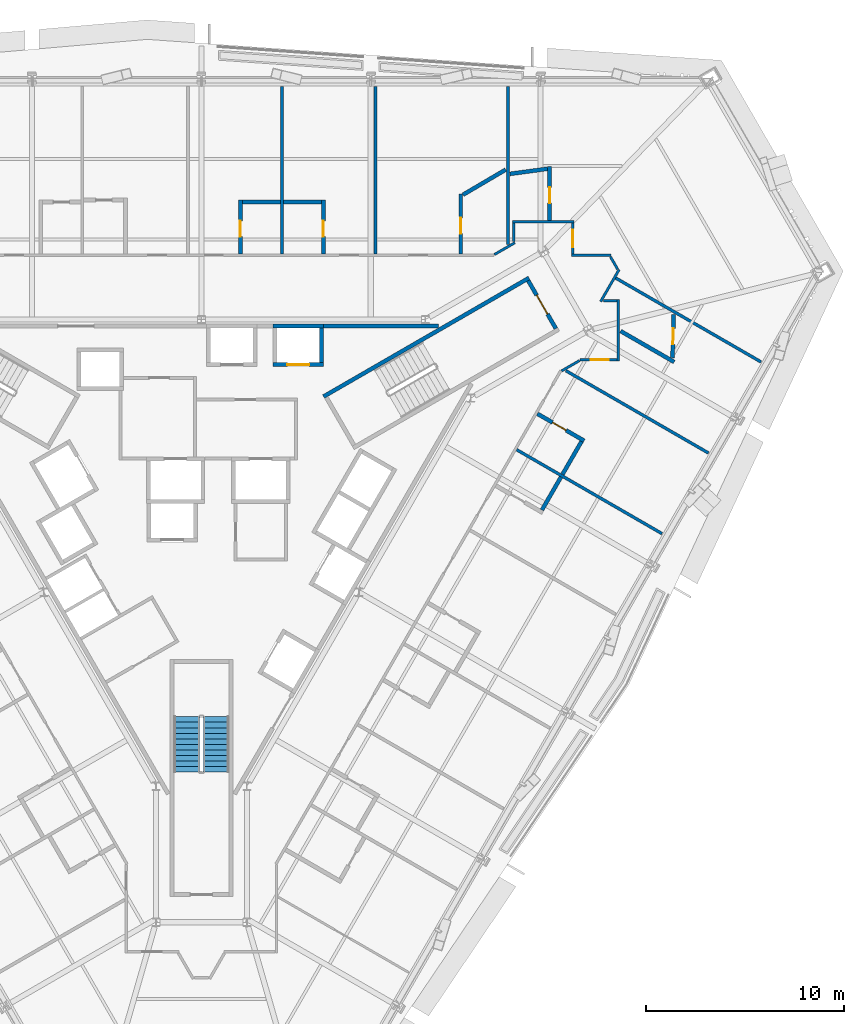
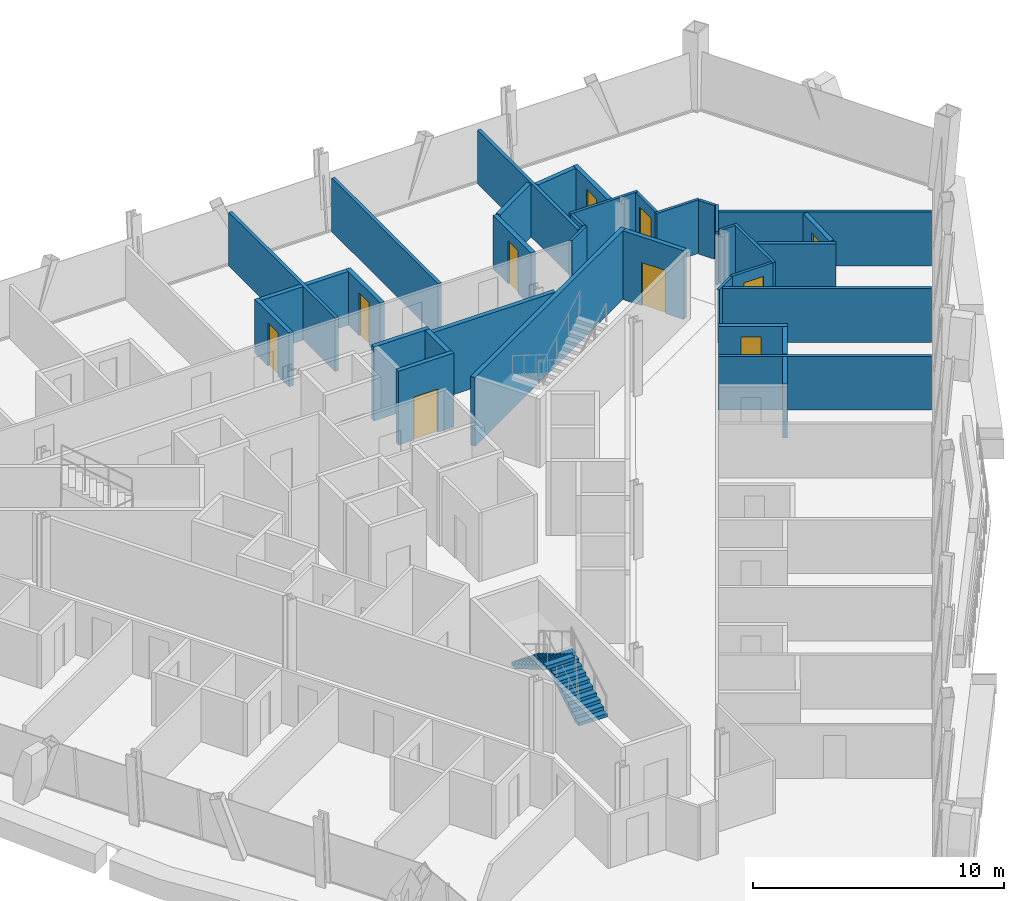
# One storey, part 12 of 15: 36 walls, 10 doors, 2 stair flights, 10 openings, 1 element without a shape of its own.
"""IFC4 building model written with IfcOpenShell, lengths in metres."""

from ifc_helpers import new_model, si_unit, direction, frame, frame_2d, origin, place, context, subcontext, project, spatial, polyline, rectangle, outline, extrude, material, layer, layer_set, type_object, element, fill, aggregate, save


model = new_model("IFC4")

# Units and contexts
model_context = context("Model", 3, precision=1e-05, world=origin(), true_north=direction((0.0, 1.0)))
body_context = subcontext(model_context, "Body", "Model", "MODEL_VIEW")
ifc_project = project(units=[si_unit("LENGTHUNIT", "METRE"), si_unit("AREAUNIT", "SQUARE_METRE"), si_unit("VOLUMEUNIT", "CUBIC_METRE"), si_unit("PLANEANGLEUNIT", "RADIAN"), si_unit("MASSUNIT", "GRAM", prefix="KILO")], contexts=[model_context])

# Site, building, storey
site_placement = place(None, origin())
site = spatial("IfcSite", under=ifc_project, at=site_placement, CompositionType="ELEMENT")
building_placement = place(site_placement, origin())
building = spatial("IfcBuilding", under=site, at=building_placement, Name="Verrane Prism Tower", CompositionType="ELEMENT")
storey_placement = place(building_placement, frame((0.0, 0.0, 72.800048828125)))
storey = spatial("IfcBuildingStorey", under=building, at=storey_placement, Name="L16", CompositionType="ELEMENT", Elevation=72.800048828125)

# Wall
ifc_material_1 = material(Name="Gypsum board partition", Category="other")
ifc_layer_1 = layer(ifc_material_1, 0.199951171875)
ifc_layer_set_1 = layer_set([ifc_layer_1], Name="CW-200 core boundary wall 2 h")
wall_type_1 = type_object("IfcWallType", Name="CW-200 core boundary wall 2 h", PredefinedType="PARTITIONING", material=ifc_layer_set_1)
wall_1_placement = place(storey_placement, frame((6.177001953125, 8.860107421875, 0.0), z_axis=(0.0, 0.0, 1.0), x_axis=(1.0, 0.0, 0.0)))
element("IfcWall", 1, at=wall_1_placement, inside=storey, type_object=wall_type_1, Name="Core boundary wall CW3-006", PredefinedType="PARTITIONING", context=body_context, shape_type="SweptSolid", body=[
    extrude(rectangle(XDim=5.81396484375, YDim=0.199951171875, at=frame_2d((2.906982421875, 0.0))), origin(), (0.0, 0.0, 1.0), 3.349853515625),
])

# Wall, opening, door
ifc_material_2 = material(Name="Concrete C40/50", Category="concrete")
ifc_layer_2 = layer(ifc_material_2, 0.199951171875)
ifc_layer_set_2 = layer_set([ifc_layer_2], Name="CW-200 stair core wall concrete C40/50 3 h")
wall_type_2 = type_object("IfcWallType", Name="CW-200 stair core wall concrete C40/50 3 h", PredefinedType="PARTITIONING", material=ifc_layer_set_2)
wall_2_placement = place(storey_placement, frame((17.933837890625, 8.737548828125, 0.0), z_axis=(0.0, 0.0, 1.0), x_axis=(-0.49998411664, 0.866034573852, 0.0)))
wall_2 = element("IfcWall", 2, at=wall_2_placement, inside=storey, type_object=wall_type_2, Name="Stair 1 enclosure wall", PredefinedType="PARTITIONING", context=body_context, shape_type="SweptSolid", body=[
    extrude(rectangle(XDim=2.7998046875, YDim=0.199951171875, at=frame_2d((1.39990234375, 0.0))), origin(), (0.0, 0.0, 1.0), 3.349853515625),
])
opening_1_placement = place(wall_2_placement, frame((0.849853515625, 0.0, 0.0)))
opening_1 = element("IfcOpeningElement", 3, at=opening_1_placement, cuts=wall_2, Name="Opening D14500", PredefinedType="OPENING", context=body_context, shape_type="SweptSolid", body=[
    extrude(rectangle(XDim=1.10009765625, YDim=2.10009765625, at=frame_2d((0.550048828125, 1.050048828125))), frame((0.0, 0.10986328125, 0.0), z_axis=(0.0, -1.0, 0.0), x_axis=(1.0, 0.0, 0.0)), (0.0, 0.0, 1.0), 0.219970703125),
])
ifc_material_3 = material(Name="Timber veneered door leaf", Category="wood")
door_type_1 = type_object("IfcDoorType", Name="DR-1100x2100 FD90 single leaf stair", OperationType="NOTDEFINED", PredefinedType="DOOR", material=ifc_material_3)
door_1_placement = place(opening_1_placement, origin())
door_1 = element("IfcDoor", 4, at=door_1_placement, inside=storey, type_object=door_type_1, Name="Stair 1 door", OperationType="SINGLE_SWING_LEFT", OverallHeight=2.10009765625, OverallWidth=1.10009765625, PredefinedType="DOOR", context=body_context, shape_type="SweptSolid", body=[
    extrude(rectangle(XDim=1.10009765625, YDim=2.10009765625, at=frame_2d((0.550048828125, 1.050048828125))), frame((0.0, 0.02490234375, 0.0), z_axis=(0.0, -1.0, 0.0), x_axis=(1.0, 0.0, 0.0)), (0.0, 0.0, 1.0), 0.050048828125),
])
fill(opening_1, door_1)

# Wall
wall_3_placement = place(storey_placement, frame((6.17822265625, 5.299072265625, 0.0), z_axis=(0.0, 0.0, 1.0), x_axis=(0.866026010844, 0.49999894854, 0.0)))
element("IfcWall", 5, at=wall_3_placement, inside=storey, type_object=wall_type_2, Name="Stair 1 enclosure wall", PredefinedType="PARTITIONING", context=body_context, shape_type="SweptSolid", body=[
    extrude(rectangle(XDim=12.0, YDim=0.199951171875, at=frame_2d((6.0, 0.0))), origin(), (0.0, 0.0, 1.0), 3.349853515625),
])

# Wall, opening, door
ifc_material_4 = material(Name="Gypsum board shaft wall assembly", Category="other")
ifc_layer_3 = layer(ifc_material_4, 0.199951171875)
ifc_layer_set_3 = layer_set([ifc_layer_3], Name="HW-200 lift shaft wall 2 h")
wall_type_3 = type_object("IfcWallType", Name="HW-200 lift shaft wall 2 h", PredefinedType="PARTITIONING", material=ifc_layer_set_3)
wall_4_placement = place(storey_placement, frame((3.625, 6.909912109375, 0.0), z_axis=(0.0, 0.0, 1.0), x_axis=(1.0, 0.0, 0.0)))
wall_4 = element("IfcWall", 6, at=wall_4_placement, inside=storey, type_object=wall_type_3, Name="Lift shaft wall", PredefinedType="PARTITIONING", context=body_context, shape_type="SweptSolid", body=[
    extrude(rectangle(XDim=2.550048828125, YDim=0.199951171875, at=frame_2d((1.27490234375, 0.0))), origin(), (0.0, 0.0, 1.0), 3.599853515625),
])
opening_2_placement = place(wall_4_placement, frame((0.72509765625, 0.0, 0.0)))
opening_2 = element("IfcOpeningElement", 7, at=opening_2_placement, cuts=wall_4, Name="Opening D14505", PredefinedType="OPENING", context=body_context, shape_type="SweptSolid", body=[
    extrude(rectangle(XDim=1.10009765625, YDim=2.10009765625, at=frame_2d((0.550048828125, 1.050048828125))), frame((0.0, 0.10986328125, 0.0), z_axis=(0.0, -1.0, 0.0), x_axis=(1.0, 0.0, 0.0)), (0.0, 0.0, 1.0), 0.219970703125),
])
ifc_material_5 = material(Name="Stainless steel sliding landing door", Category="steel")
door_type_2 = type_object("IfcDoorType", Name="LD-1100x2100 lift landing door FD90 sliding", OperationType="NOTDEFINED", PredefinedType="DOOR", material=ifc_material_5)
door_2_placement = place(opening_2_placement, origin())
door_2 = element("IfcDoor", 8, at=door_2_placement, inside=storey, type_object=door_type_2, Name="Bank A lift 3 landing door", OperationType="SLIDING_TO_LEFT", OverallHeight=2.10009765625, OverallWidth=1.10009765625, PredefinedType="DOOR", context=body_context, shape_type="SweptSolid", body=[
    extrude(rectangle(XDim=1.10009765625, YDim=2.10009765625, at=frame_2d((0.550048828125, 1.050048828125))), frame((0.0, 0.02490234375, 0.0), z_axis=(0.0, -1.0, 0.0), x_axis=(1.0, 0.0, 0.0)), (0.0, 0.0, 1.0), 0.050048828125),
])
fill(opening_2, door_2)

# Walls
wall_5_placement = place(storey_placement, frame((3.625, 8.860107421875, 0.0), z_axis=(0.0, 0.0, 1.0), x_axis=(1.0, 0.0, 0.0)))
element("IfcWall", 9, at=wall_5_placement, inside=storey, type_object=wall_type_3, Name="Lift shaft wall", PredefinedType="PARTITIONING", context=body_context, shape_type="SweptSolid", body=[
    extrude(rectangle(XDim=2.550048828125, YDim=0.199951171875, at=frame_2d((1.27490234375, 0.0))), origin(), (0.0, 0.0, 1.0), 3.599853515625),
])
wall_6_placement = place(storey_placement, frame((6.074951171875, 7.010009765625, 0.0), z_axis=(0.0, 0.0, 1.0), x_axis=(0.0, 1.0, 0.0)))
element("IfcWall", 10, at=wall_6_placement, inside=storey, type_object=wall_type_3, Name="Lift shaft wall", PredefinedType="PARTITIONING", context=body_context, shape_type="SweptSolid", body=[
    extrude(rectangle(XDim=1.75, YDim=0.199951171875, at=frame_2d((0.875, 0.0))), origin(), (0.0, 0.0, 1.0), 3.599853515625),
])
ifc_material_6 = material(Name="Gypsum board partition", Category="other")
ifc_layer_4 = layer(ifc_material_6, 0.125)
ifc_layer_set_4 = layer_set([ifc_layer_4], Name="PW-125 corridor wall 1 h")
wall_type_4 = type_object("IfcWallType", Name="PW-125 corridor wall 1 h", PredefinedType="PARTITIONING", material=ifc_layer_set_4)
wall_7_placement = place(storey_placement, frame((14.821533203125, 12.4833984375, 0.0), z_axis=(0.0, 0.0, 1.0), x_axis=(0.866035997947, 0.499981649923, 0.0)))
element("IfcWall", 11, at=wall_7_placement, inside=storey, type_object=wall_type_4, Name="Corridor wall 075", PredefinedType="PARTITIONING", context=body_context, shape_type="SweptSolid", body=[
    extrude(rectangle(XDim=1.19580078125, YDim=0.125, at=frame_2d((0.597900390625, 0.0))), origin(), (0.0, 0.0, 1.0), 2.613037109375),
])
wall_8_placement = place(storey_placement, frame((15.802978515625, 13.135009765625, 0.0), z_axis=(0.0, 0.0, 1.0), x_axis=(0.0, 1.0, 0.0)))
element("IfcWall", 12, at=wall_8_placement, inside=storey, type_object=wall_type_4, Name="Corridor wall 079", PredefinedType="PARTITIONING", context=body_context, shape_type="SweptSolid", body=[
    extrude(rectangle(XDim=0.93701171875, YDim=0.125, at=frame_2d((0.468505859375, 0.0))), origin(), (0.0, 0.0, 1.0), 2.613037109375),
])
wall_9_placement = place(storey_placement, frame((15.740478515625, 14.136962890625, 0.0), z_axis=(0.0, 0.0, 1.0), x_axis=(1.0, 0.0, 0.0)))
element("IfcWall", 13, at=wall_9_placement, inside=storey, type_object=wall_type_4, Name="Corridor wall 080", PredefinedType="PARTITIONING", context=body_context, shape_type="SweptSolid", body=[
    extrude(rectangle(XDim=3.119140625, YDim=0.125, at=frame_2d((1.5595703125, 0.0))), origin(), (0.0, 0.0, 1.0), 2.613037109375),
])
wall_10_placement = place(storey_placement, frame((18.2216796875, 6.594482421875, 0.0), z_axis=(0.0, 0.0, 1.0), x_axis=(0.865876245925, 0.500258260045, 0.0)))
element("IfcWall", 14, at=wall_10_placement, inside=storey, type_object=wall_type_4, Name="Corridor wall 085", PredefinedType="PARTITIONING", context=body_context, shape_type="SweptSolid", body=[
    extrude(rectangle(XDim=1.0517578125, YDim=0.125, at=frame_2d((0.52587890625, 0.0))), origin(), (0.0, 0.0, 1.0), 2.613037109375),
])

# Wall, opening, door
wall_11_placement = place(storey_placement, frame((18.797119140625, 14.072021484375, 0.0), z_axis=(0.0, 0.0, 1.0), x_axis=(0.0, -1.0, 0.0)))
wall_11 = element("IfcWall", 15, at=wall_11_placement, inside=storey, type_object=wall_type_4, Name="Corridor wall 088", PredefinedType="PARTITIONING", context=body_context, shape_type="SweptSolid", body=[
    extrude(rectangle(XDim=1.56591796875, YDim=0.125, at=frame_2d((0.782958984375, 0.0))), origin(), (0.0, 0.0, 1.0), 2.613037109375),
])
opening_3_placement = place(wall_11_placement, frame((0.3310546875, 0.0, 0.0)))
opening_3 = element("IfcOpeningElement", 16, at=opening_3_placement, cuts=wall_11, Name="Opening D14016", PredefinedType="OPENING", context=body_context, shape_type="SweptSolid", body=[
    extrude(rectangle(XDim=0.89990234375, YDim=2.10009765625, at=frame_2d((0.449951171875, 1.050048828125))), frame((0.0, 0.072509765625, 0.0), z_axis=(0.0, -1.0, 0.0), x_axis=(1.0, 0.0, 0.0)), (0.0, 0.0, 1.0), 0.14501953125),
])
ifc_material_7 = material(Name="Timber veneered door leaf", Category="wood")
door_type_3 = type_object("IfcDoorType", Name="DR-900x2100 FD20 single leaf unit", OperationType="NOTDEFINED", PredefinedType="DOOR", material=ifc_material_7)
door_3_placement = place(opening_3_placement, origin())
door_3 = element("IfcDoor", 17, at=door_3_placement, inside=storey, type_object=door_type_3, Name="Corner Suite door", OperationType="SINGLE_SWING_LEFT", OverallHeight=2.10009765625, OverallWidth=0.89990234375, PredefinedType="DOOR", context=body_context, shape_type="SweptSolid", body=[
    extrude(rectangle(XDim=0.89990234375, YDim=2.10009765625, at=frame_2d((0.449951171875, 1.050048828125))), frame((0.0, 0.02490234375, 0.0), z_axis=(0.0, -1.0, 0.0), x_axis=(1.0, 0.0, 0.0)), (0.0, 0.0, 1.0), 0.050048828125),
])
fill(opening_3, door_3)

# Wall
wall_12_placement = place(storey_placement, frame((18.734619140625, 12.44091796875, 0.0), z_axis=(0.0, 0.0, 1.0), x_axis=(1.0, 0.0, 0.0)))
element("IfcWall", 18, at=wall_12_placement, inside=storey, type_object=wall_type_4, Name="Corridor wall 089", PredefinedType="PARTITIONING", context=body_context, shape_type="SweptSolid", body=[
    extrude(rectangle(XDim=1.98193359375, YDim=0.125, at=frame_2d((0.990966796875, 0.0))), origin(), (0.0, 0.0, 1.0), 2.613037109375),
])

# Wall, opening, door
wall_13_placement = place(storey_placement, frame((21.031982421875, 7.1630859375, 0.0), z_axis=(0.0, 0.0, 1.0), x_axis=(-1.0, 0.0, 0.0)))
wall_13 = element("IfcWall", 19, at=wall_13_placement, inside=storey, type_object=wall_type_4, Name="Corridor wall 090", PredefinedType="PARTITIONING", context=body_context, shape_type="SweptSolid", body=[
    extrude(rectangle(XDim=1.888427734375, YDim=0.125, at=frame_2d((0.9443359375, 0.0))), origin(), (0.0, 0.0, 1.0), 2.613037109375),
])
opening_4_placement = place(wall_13_placement, frame((0.426025390625, 0.0, 0.0)))
opening_4 = element("IfcOpeningElement", 20, at=opening_4_placement, cuts=wall_13, Name="Opening D14014", PredefinedType="OPENING", context=body_context, shape_type="SweptSolid", body=[
    extrude(rectangle(XDim=0.89990234375, YDim=2.10009765625, at=frame_2d((0.449951171875, 1.050048828125))), frame((0.0, 0.072509765625, 0.0), z_axis=(0.0, -1.0, 0.0), x_axis=(1.0, 0.0, 0.0)), (0.0, 0.0, 1.0), 0.14501953125),
])
door_4_placement = place(opening_4_placement, origin())
door_4 = element("IfcDoor", 21, at=door_4_placement, inside=storey, type_object=door_type_3, Name="Guest Room door", OperationType="SINGLE_SWING_LEFT", OverallHeight=2.10009765625, OverallWidth=0.89990234375, PredefinedType="DOOR", context=body_context, shape_type="SweptSolid", body=[
    extrude(rectangle(XDim=0.89990234375, YDim=2.10009765625, at=frame_2d((0.449951171875, 1.050048828125))), frame((0.0, 0.02490234375, 0.0), z_axis=(0.0, -1.0, 0.0), x_axis=(1.0, 0.0, 0.0)), (0.0, 0.0, 1.0), 0.050048828125),
])
fill(opening_4, door_4)

# Walls
wall_14_placement = place(storey_placement, frame((20.333984375, 10.156982421875, 0.0), z_axis=(0.0, 0.0, 1.0), x_axis=(1.0, 0.0, 0.0)))
element("IfcWall", 22, at=wall_14_placement, inside=storey, type_object=wall_type_4, Name="Corridor wall 091", PredefinedType="PARTITIONING", context=body_context, shape_type="SweptSolid", body=[
    extrude(rectangle(XDim=0.697998046875, YDim=0.125, at=frame_2d((0.34912109375, 0.0))), origin(), (0.0, 0.0, 1.0), 2.613037109375),
])
wall_15_placement = place(storey_placement, frame((20.19775390625, 10.102783203125, 0.0), z_axis=(0.0, 0.0, 1.0), x_axis=(0.500072997275, 0.865983254686, 0.0)))
element("IfcWall", 23, at=wall_15_placement, inside=storey, type_object=wall_type_4, Name="Corridor wall 092", PredefinedType="PARTITIONING", context=body_context, shape_type="SweptSolid", body=[
    extrude(rectangle(XDim=1.868896484375, YDim=0.125, at=frame_2d((0.9345703125, 0.0))), origin(), (0.0, 0.0, 1.0), 2.613037109375),
])
wall_16_placement = place(storey_placement, frame((20.696533203125, 12.367431640625, 0.0), z_axis=(0.0, 0.0, 1.0), x_axis=(0.500238258503, -0.865887801468, 0.0)))
element("IfcWall", 24, at=wall_16_placement, inside=storey, type_object=wall_type_4, Name="Corridor wall 093", PredefinedType="PARTITIONING", context=body_context, shape_type="SweptSolid", body=[
    extrude(rectangle(XDim=0.723876953125, YDim=0.125, at=frame_2d((0.36181640625, 0.0))), origin(), (0.0, 0.0, 1.0), 2.613037109375),
])
wall_17_placement = place(storey_placement, frame((21.096923828125, 7.1005859375, 0.0), z_axis=(0.0, 0.0, 1.0), x_axis=(0.0, 1.0, 0.0)))
element("IfcWall", 25, at=wall_17_placement, inside=storey, type_object=wall_type_4, Name="Corridor wall 095", PredefinedType="PARTITIONING", context=body_context, shape_type="SweptSolid", body=[
    extrude(rectangle(XDim=3.118896484375, YDim=0.125, at=frame_2d((1.5595703125, 0.0))), origin(), (0.0, 0.0, 1.0), 2.613037109375),
])
ifc_material_8 = material(Name="Gypsum board partition", Category="other")
ifc_layer_5 = layer(ifc_material_8, 0.14990234375)
ifc_layer_set_5 = layer_set([ifc_layer_5], Name="PW-150 demising wall 1 h")
wall_type_5 = type_object("IfcWallType", Name="PW-150 demising wall 1 h", PredefinedType="PARTITIONING", material=ifc_layer_set_5)
for number, where, z_axis, x_axis, name in (
    (26, (4.072998046875, 12.50341796875, 0.0), (0.0, 0.0, 1.0), (0.0, 1.0, 0.0), "Demising wall 057"),
    (27, (8.81591796875, 12.50341796875, 0.0), (0.0, 0.0, 1.0), (0.0, 1.0, 0.0), "Demising wall 066"),
):
    element("IfcWall", number, at=place(storey_placement, frame(where, z_axis=z_axis, x_axis=x_axis)), inside=storey, type_object=wall_type_5, Name=name, PredefinedType="PARTITIONING", context=body_context, shape_type="SweptSolid", body=[
        extrude(rectangle(XDim=8.49169921875, YDim=0.14990234375, at=frame_2d((4.245849609375, 0.0))), origin(), (0.0, 0.0, 1.0), 2.613037109375),
    ])
wall_18_placement = place(storey_placement, frame((15.51904296875, 13.00146484375, 0.0), z_axis=(0.0, 0.0, 1.0), x_axis=(0.0, 1.0, 0.0)))
element("IfcWall", 28, at=wall_18_placement, inside=storey, type_object=wall_type_5, Name="Demising wall 077", PredefinedType="PARTITIONING", context=body_context, shape_type="SweptSolid", body=[
    extrude(rectangle(XDim=7.99365234375, YDim=0.14990234375, at=frame_2d((3.996826171875, 0.0))), origin(), (0.0, 0.0, 1.0), 2.613037109375),
])
wall_19_placement = place(storey_placement, frame((15.948486328125, 2.608154296875, 0.0), z_axis=(0.0, 0.0, 1.0), x_axis=(0.866059124033, -0.499941590267, 0.0)))
element("IfcWall", 29, at=wall_19_placement, inside=storey, type_object=wall_type_5, Name="Demising wall 081", PredefinedType="PARTITIONING", context=body_context, shape_type="SweptSolid", body=[
    extrude(rectangle(XDim=8.48681640625, YDim=0.14990234375, at=frame_2d((4.243408203125, 0.0))), origin(), (0.0, 0.0, 1.0), 2.613037109375),
])
wall_20_placement = place(storey_placement, frame((18.43994140625, 6.605224609375, 0.0), z_axis=(0.0, 0.0, 1.0), x_axis=(0.866044499518, -0.49996692376, 0.0)))
element("IfcWall", 30, at=wall_20_placement, inside=storey, type_object=wall_type_5, Name="Demising wall 087", PredefinedType="PARTITIONING", context=body_context, shape_type="SweptSolid", body=[
    extrude(rectangle(XDim=8.32763671875, YDim=0.14990234375, at=frame_2d((4.163818359375, 0.0))), origin(), (0.0, 0.0, 1.0), 2.613037109375),
])
wall_21_placement = place(storey_placement, frame((20.959228515625, 11.295654296875, 0.0), z_axis=(0.0, 0.0, 1.0), x_axis=(0.866022790583, -0.50000452617, 0.0)))
element("IfcWall", 31, at=wall_21_placement, inside=storey, type_object=wall_type_5, Name="Demising wall 094", PredefinedType="PARTITIONING", context=body_context, shape_type="SweptSolid", body=[
    extrude(rectangle(XDim=8.4912109375, YDim=0.14990234375, at=frame_2d((4.24560546875, 0.0))), origin(), (0.0, 0.0, 1.0), 2.613037109375),
])

# Wall, opening, door
ifc_material_9 = material(Name="Gypsum board partition", Category="other")
ifc_layer_6 = layer(ifc_material_9, 0.199951171875)
ifc_layer_set_6 = layer_set([ifc_layer_6], Name="PW-200 plumbing wall")
wall_type_6 = type_object("IfcWallType", Name="PW-200 plumbing wall", PredefinedType="PARTITIONING", material=ifc_layer_set_6)
wall_22_placement = place(storey_placement, frame((1.972900390625, 15.240966796875, 0.0), z_axis=(0.0, 0.0, 1.0), x_axis=(0.0, -1.0, 0.0)))
wall_22 = element("IfcWall", 32, at=wall_22_placement, inside=storey, type_object=wall_type_6, Name="Plumbing wall 052", PredefinedType="PARTITIONING", context=body_context, shape_type="SweptSolid", body=[
    extrude(rectangle(XDim=2.737548828125, YDim=0.199951171875, at=frame_2d((1.36865234375, 0.0))), origin(), (0.0, 0.0, 1.0), 2.613037109375),
])
opening_5_placement = place(wall_22_placement, frame((1.050048828125, 0.0, 0.0)))
opening_5 = element("IfcOpeningElement", 33, at=opening_5_placement, cuts=wall_22, Name="Opening D14023", PredefinedType="OPENING", context=body_context, shape_type="SweptSolid", body=[
    extrude(rectangle(XDim=0.800048828125, YDim=2.10009765625, at=frame_2d((0.39990234375, 1.050048828125))), frame((0.0, 0.10986328125, 0.0), z_axis=(0.0, -1.0, 0.0), x_axis=(1.0, 0.0, 0.0)), (0.0, 0.0, 1.0), 0.219970703125),
])
ifc_material_10 = material(Name="Timber veneered door leaf", Category="wood")
door_type_4 = type_object("IfcDoorType", Name="DR-800x2100 single leaf bath", OperationType="NOTDEFINED", PredefinedType="DOOR", material=ifc_material_10)
door_5_placement = place(opening_5_placement, origin())
door_5 = element("IfcDoor", 34, at=door_5_placement, inside=storey, type_object=door_type_4, Name="En-Suite door", OperationType="SINGLE_SWING_RIGHT", OverallHeight=2.10009765625, OverallWidth=0.800048828125, PredefinedType="DOOR", context=body_context, shape_type="SweptSolid", body=[
    extrude(rectangle(XDim=0.800048828125, YDim=2.10009765625, at=frame_2d((0.39990234375, 1.050048828125))), frame((0.0, 0.02490234375, 0.0), z_axis=(0.0, -1.0, 0.0), x_axis=(1.0, 0.0, 0.0)), (0.0, 0.0, 1.0), 0.050048828125),
])
fill(opening_5, door_5)

# Walls
for number, where, z_axis, x_axis, name in (
    (35, (2.072998046875, 15.14111328125, 0.0), (0.0, 0.0, 1.0), (1.0, 0.0, 0.0), "Plumbing wall 053"),
    (36, (4.153076171875, 15.14111328125, 0.0), (0.0, 0.0, 1.0), (1.0, 0.0, 0.0), "Plumbing wall 058"),
):
    element("IfcWall", number, at=place(storey_placement, frame(where, z_axis=z_axis, x_axis=x_axis)), inside=storey, type_object=wall_type_6, Name=name, PredefinedType="PARTITIONING", context=body_context, shape_type="SweptSolid", body=[
        extrude(rectangle(XDim=1.919921875, YDim=0.199951171875, at=frame_2d((0.9599609375, 0.0))), origin(), (0.0, 0.0, 1.0), 2.613037109375),
    ])

# Wall, opening, door
wall_23_placement = place(storey_placement, frame((6.173095703125, 12.50341796875, 0.0), z_axis=(0.0, 0.0, 1.0), x_axis=(0.0, 1.0, 0.0)))
wall_23 = element("IfcWall", 37, at=wall_23_placement, inside=storey, type_object=wall_type_6, Name="Plumbing wall 061", PredefinedType="PARTITIONING", context=body_context, shape_type="SweptSolid", body=[
    extrude(rectangle(XDim=2.737548828125, YDim=0.199951171875, at=frame_2d((1.36865234375, 0.0))), origin(), (0.0, 0.0, 1.0), 2.613037109375),
])
opening_6_placement = place(wall_23_placement, frame((0.887451171875, 0.0, 0.0)))
opening_6 = element("IfcOpeningElement", 38, at=opening_6_placement, cuts=wall_23, Name="Opening D14021", PredefinedType="OPENING", context=body_context, shape_type="SweptSolid", body=[
    extrude(rectangle(XDim=0.800048828125, YDim=2.10009765625, at=frame_2d((0.39990234375, 1.050048828125))), frame((0.0, 0.10986328125, 0.0), z_axis=(0.0, -1.0, 0.0), x_axis=(1.0, 0.0, 0.0)), (0.0, 0.0, 1.0), 0.219970703125),
])
door_6_placement = place(opening_6_placement, origin())
door_6 = element("IfcDoor", 39, at=door_6_placement, inside=storey, type_object=door_type_4, Name="En-Suite door", OperationType="SINGLE_SWING_LEFT", OverallHeight=2.10009765625, OverallWidth=0.800048828125, PredefinedType="DOOR", context=body_context, shape_type="SweptSolid", body=[
    extrude(rectangle(XDim=0.800048828125, YDim=2.10009765625, at=frame_2d((0.39990234375, 1.050048828125))), frame((0.0, 0.02490234375, 0.0), z_axis=(0.0, -1.0, 0.0), x_axis=(1.0, 0.0, 0.0)), (0.0, 0.0, 1.0), 0.050048828125),
])
fill(opening_6, door_6)

wall_24_placement = place(storey_placement, frame((13.118896484375, 15.541015625, 0.0), z_axis=(0.0, 0.0, 1.0), x_axis=(0.0, -1.0, 0.0)))
wall_24 = element("IfcWall", 40, at=wall_24_placement, inside=storey, type_object=wall_type_6, Name="Plumbing wall 072", PredefinedType="PARTITIONING", context=body_context, shape_type="SweptSolid", body=[
    extrude(rectangle(XDim=3.03759765625, YDim=0.199951171875, at=frame_2d((1.518798828125, 0.0))), origin(), (0.0, 0.0, 1.0), 2.613037109375),
])
opening_7_placement = place(wall_24_placement, frame((1.199951171875, 0.0, 0.0)))
opening_7 = element("IfcOpeningElement", 41, at=opening_7_placement, cuts=wall_24, Name="Opening D14019", PredefinedType="OPENING", context=body_context, shape_type="SweptSolid", body=[
    extrude(rectangle(XDim=0.800048828125, YDim=2.10009765625, at=frame_2d((0.39990234375, 1.050048828125))), frame((0.0, 0.10986328125, 0.0), z_axis=(0.0, -1.0, 0.0), x_axis=(1.0, 0.0, 0.0)), (0.0, 0.0, 1.0), 0.219970703125),
])
door_7_placement = place(opening_7_placement, origin())
door_7 = element("IfcDoor", 42, at=door_7_placement, inside=storey, type_object=door_type_4, Name="En-Suite door", OperationType="SINGLE_SWING_RIGHT", OverallHeight=2.10009765625, OverallWidth=0.800048828125, PredefinedType="DOOR", context=body_context, shape_type="SweptSolid", body=[
    extrude(rectangle(XDim=0.800048828125, YDim=2.10009765625, at=frame_2d((0.39990234375, 1.050048828125))), frame((0.0, 0.02490234375, 0.0), z_axis=(0.0, -1.0, 0.0), x_axis=(1.0, 0.0, 0.0)), (0.0, 0.0, 1.0), 0.050048828125),
])
fill(opening_7, door_7)

# Walls
wall_25_placement = place(storey_placement, frame((13.2353515625, 15.509521484375, 0.0), z_axis=(0.0, 0.0, 1.0), x_axis=(0.861909146735, 0.507062740471, 0.0)))
element("IfcWall", 43, at=wall_25_placement, inside=storey, type_object=wall_type_6, Name="Plumbing wall 073", PredefinedType="PARTITIONING", context=body_context, shape_type="SweptSolid", body=[
    extrude(rectangle(XDim=2.503662109375, YDim=0.199951171875, at=frame_2d((1.251953125, 0.0))), origin(), (0.0, 0.0, 1.0), 2.613037109375),
])
wall_26_placement = place(storey_placement, frame((15.607421875, 16.56494140625, 0.0), z_axis=(0.0, 0.0, 1.0), x_axis=(0.990982367401, 0.133992341199, 0.0)))
element("IfcWall", 44, at=wall_26_placement, inside=storey, type_object=wall_type_6, Name="Plumbing wall 078", PredefinedType="PARTITIONING", context=body_context, shape_type="SweptSolid", body=[
    extrude(rectangle(XDim=1.9150390625, YDim=0.199951171875, at=frame_2d((0.95751953125, 0.0))), origin(), (0.0, 0.0, 1.0), 2.613037109375),
])

# Wall, opening, door
wall_27_placement = place(storey_placement, frame((19.36572265625, 3.06103515625, 0.0), z_axis=(0.0, 0.0, 1.0), x_axis=(-0.866102295869, 0.499866795347, 0.0)))
wall_27 = element("IfcWall", 45, at=wall_27_placement, inside=storey, type_object=wall_type_6, Name="Plumbing wall 082", PredefinedType="PARTITIONING", context=body_context, shape_type="SweptSolid", body=[
    extrude(rectangle(XDim=2.733154296875, YDim=0.199951171875, at=frame_2d((1.36669921875, 0.0))), origin(), (0.0, 0.0, 1.0), 2.613037109375),
])
opening_8_placement = place(wall_27_placement, frame((1.050537109375, 0.0, 0.0)))
opening_8 = element("IfcOpeningElement", 46, at=opening_8_placement, cuts=wall_27, Name="Opening D14013", PredefinedType="OPENING", context=body_context, shape_type="SweptSolid", body=[
    extrude(rectangle(XDim=0.800048828125, YDim=2.10009765625, at=frame_2d((0.39990234375, 1.050048828125))), frame((0.0, 0.10986328125, 0.0), z_axis=(0.0, -1.0, 0.0), x_axis=(1.0, 0.0, 0.0)), (0.0, 0.0, 1.0), 0.219970703125),
])
door_8_placement = place(opening_8_placement, origin())
door_8 = element("IfcDoor", 47, at=door_8_placement, inside=storey, type_object=door_type_4, Name="En-Suite door", OperationType="SINGLE_SWING_RIGHT", OverallHeight=2.10009765625, OverallWidth=0.800048828125, PredefinedType="DOOR", context=body_context, shape_type="SweptSolid", body=[
    extrude(rectangle(XDim=0.800048828125, YDim=2.10009765625, at=frame_2d((0.39990234375, 1.050048828125))), frame((0.0, 0.02490234375, 0.0), z_axis=(0.0, -1.0, 0.0), x_axis=(1.0, 0.0, 0.0)), (0.0, 0.0, 1.0), 0.050048828125),
])
fill(opening_8, door_8)

# Wall
wall_28_placement = place(storey_placement, frame((17.22900390625, -0.4404296875, 0.0), z_axis=(0.0, 0.0, 1.0), x_axis=(0.499667418833, 0.866217334482, 0.0)))
element("IfcWall", 48, at=wall_28_placement, inside=storey, type_object=wall_type_6, Name="Plumbing wall 083", PredefinedType="PARTITIONING", context=body_context, shape_type="SweptSolid", body=[
    extrude(rectangle(XDim=1.920166015625, YDim=0.199951171875, at=frame_2d((0.9599609375, 0.0))), origin(), (0.0, 0.0, 1.0), 2.613037109375),
])

# Wall, opening, door
wall_29_placement = place(storey_placement, frame((17.618896484375, 14.199462890625, 0.0), z_axis=(0.0, 0.0, 1.0), x_axis=(0.0, 1.0, 0.0)))
wall_29 = element("IfcWall", 49, at=wall_29_placement, inside=storey, type_object=wall_type_6, Name="Plumbing wall 084", PredefinedType="PARTITIONING", context=body_context, shape_type="SweptSolid", body=[
    extrude(rectangle(XDim=2.737548828125, YDim=0.199951171875, at=frame_2d((1.36865234375, 0.0))), origin(), (0.0, 0.0, 1.0), 2.613037109375),
])
opening_9_placement = place(wall_29_placement, frame((0.887451171875, 0.0, 0.0)))
opening_9 = element("IfcOpeningElement", 50, at=opening_9_placement, cuts=wall_29, Name="Opening D14017", PredefinedType="OPENING", context=body_context, shape_type="SweptSolid", body=[
    extrude(rectangle(XDim=0.800048828125, YDim=2.10009765625, at=frame_2d((0.39990234375, 1.050048828125))), frame((0.0, 0.10986328125, 0.0), z_axis=(0.0, -1.0, 0.0), x_axis=(1.0, 0.0, 0.0)), (0.0, 0.0, 1.0), 0.219970703125),
])
door_9_placement = place(opening_9_placement, origin())
door_9 = element("IfcDoor", 51, at=door_9_placement, inside=storey, type_object=door_type_4, Name="En-Suite door", OperationType="SINGLE_SWING_LEFT", OverallHeight=2.10009765625, OverallWidth=0.800048828125, PredefinedType="DOOR", context=body_context, shape_type="SweptSolid", body=[
    extrude(rectangle(XDim=0.800048828125, YDim=2.10009765625, at=frame_2d((0.39990234375, 1.050048828125))), frame((0.0, 0.02490234375, 0.0), z_axis=(0.0, -1.0, 0.0), x_axis=(1.0, 0.0, 0.0)), (0.0, 0.0, 1.0), 0.050048828125),
])
fill(opening_9, door_9)

# Walls
wall_30_placement = place(storey_placement, frame((18.2685546875, 1.36083984375, 0.0), z_axis=(0.0, 0.0, 1.0), x_axis=(0.499993829411, 0.866028966346, 0.0)))
element("IfcWall", 52, at=wall_30_placement, inside=storey, type_object=wall_type_6, Name="Plumbing wall 086", PredefinedType="PARTITIONING", context=body_context, shape_type="SweptSolid", body=[
    extrude(rectangle(XDim=1.9208984375, YDim=0.199951171875, at=frame_2d((0.96044921875, 0.0))), origin(), (0.0, 0.0, 1.0), 2.613037109375),
])
wall_31_placement = place(storey_placement, frame((21.20947265625, 8.611083984375, 0.0), z_axis=(0.0, 0.0, 1.0), x_axis=(0.866054327916, -0.499949898588, 0.0)))
element("IfcWall", 53, at=wall_31_placement, inside=storey, type_object=wall_type_6, Name="Plumbing wall 096", PredefinedType="PARTITIONING", context=body_context, shape_type="SweptSolid", body=[
    extrude(rectangle(XDim=3.128173828125, YDim=0.199951171875, at=frame_2d((1.56396484375, 0.0))), origin(), (0.0, 0.0, 1.0), 2.613037109375),
])

# Wall, opening, door
wall_32_placement = place(storey_placement, frame((23.836181640625, 7.261962890625, 0.0), z_axis=(0.0, 0.0, 1.0), x_axis=(0.025988330811, 0.999662246292, 0.0)))
wall_32 = element("IfcWall", 54, at=wall_32_placement, inside=storey, type_object=wall_type_6, Name="Plumbing wall 097", PredefinedType="PARTITIONING", context=body_context, shape_type="SweptSolid", body=[
    extrude(rectangle(XDim=2.1982421875, YDim=0.199951171875, at=frame_2d((1.09912109375, 0.0))), origin(), (0.0, 0.0, 1.0), 2.613037109375),
])
opening_10_placement = place(wall_32_placement, frame((0.68505859375, 0.0, 0.0)))
opening_10 = element("IfcOpeningElement", 55, at=opening_10_placement, cuts=wall_32, Name="Opening D14015", PredefinedType="OPENING", context=body_context, shape_type="SweptSolid", body=[
    extrude(rectangle(XDim=0.800048828125, YDim=2.10009765625, at=frame_2d((0.39990234375, 1.050048828125))), frame((0.0, 0.10986328125, 0.0), z_axis=(0.0, -1.0, 0.0), x_axis=(1.0, 0.0, 0.0)), (0.0, 0.0, 1.0), 0.219970703125),
])
door_10_placement = place(opening_10_placement, origin())
door_10 = element("IfcDoor", 56, at=door_10_placement, inside=storey, type_object=door_type_4, Name="En-Suite door", OperationType="SINGLE_SWING_LEFT", OverallHeight=2.10009765625, OverallWidth=0.800048828125, PredefinedType="DOOR", context=body_context, shape_type="SweptSolid", body=[
    extrude(rectangle(XDim=0.800048828125, YDim=2.10009765625, at=frame_2d((0.39990234375, 1.050048828125))), frame((0.0, 0.02490234375, 0.0), z_axis=(0.0, -1.0, 0.0), x_axis=(1.0, 0.0, 0.0)), (0.0, 0.0, 1.0), 0.050048828125),
])
fill(opening_10, door_10)

# Stair, stair flights
ifc_material_11 = material(Name="Concrete C40/50", Category="concrete")
stair_type = type_object("IfcStairType", Name="Exit stair 1300 dog-leg precast concrete C40/50", PredefinedType="HALF_TURN_STAIR", material=ifc_material_11)
stair_placement = place(storey_placement, origin())
stair = element("IfcStair", 57, at=stair_placement, inside=storey, type_object=stair_type, Name="Stair 3 L16", PredefinedType="HALF_TURN_STAIR")
ifc_material_12 = material(Name="Concrete C40/50", Category="concrete")
stair_flight_type = type_object("IfcStairFlightType", Name="Stair flight 1300 precast concrete C40/50", PredefinedType="STRAIGHT", material=ifc_material_12)
stair_flight_1_placement = place(storey_placement, frame((0.75, -13.699951171875, 0.0), z_axis=(0.0, 0.0, 1.0), x_axis=(0.0, 1.0, 0.0)))
stair_flight_1 = element("IfcStairFlight", 58, at=stair_flight_1_placement, type_object=stair_flight_type, Name="Stair 3 flight 1", NumberOfRisers=11, NumberOfTreads=10, PredefinedType="STRAIGHT", RiserHeight=0.163636364, TreadLength=0.28, context=body_context, shape_type="SweptSolid", body=[
    extrude(outline(polyline([(0.0, 0.0), (0.0, 0.16357421875), (0.280029296875, 0.16357421875), (0.280029296875, 0.327392578125), (0.56005859375, 0.327392578125), (0.56005859375, 0.490966796875), (0.840087890625, 0.490966796875), (0.840087890625, 0.654541015625), (1.1201171875, 0.654541015625), (1.1201171875, 0.818115234375), (1.39990234375, 0.818115234375), (1.39990234375, 0.98193359375), (1.679931640625, 0.98193359375), (1.679931640625, 1.1455078125), (1.9599609375, 1.1455078125), (1.9599609375, 1.30908203125), (2.239990234375, 1.30908203125), (2.239990234375, 1.47265625), (2.52001953125, 1.47265625), (2.52001953125, 1.636474609375), (2.800048828125, 1.636474609375), (2.800048828125, 1.800048828125), (2.800048828125, 1.462646484375), (0.297119140625, 0.0), (0.0, 0.0)])), frame((0.0, 0.64990234375, 0.0), z_axis=(0.0, -1.0, 0.0), x_axis=(1.0, 0.0, 0.0)), (0.0, 0.0, 1.0), 1.300048828125),
])
stair_flight_2_placement = place(storey_placement, frame((-0.75, -10.89990234375, 1.800048828125), z_axis=(0.0, 0.0, 1.0), x_axis=(0.0, -1.0, 0.0)))
stair_flight_2 = element("IfcStairFlight", 59, at=stair_flight_2_placement, type_object=stair_flight_type, Name="Stair 3 flight 2", NumberOfRisers=11, NumberOfTreads=10, PredefinedType="STRAIGHT", RiserHeight=0.163636364, TreadLength=0.28, context=body_context, shape_type="SweptSolid", body=[
    extrude(outline(polyline([(0.0, 0.0), (0.0, 0.16357421875), (0.280029296875, 0.16357421875), (0.280029296875, 0.327392578125), (0.56005859375, 0.327392578125), (0.56005859375, 0.490966796875), (0.840087890625, 0.490966796875), (0.840087890625, 0.654541015625), (1.1201171875, 0.654541015625), (1.1201171875, 0.818115234375), (1.39990234375, 0.818115234375), (1.39990234375, 0.98193359375), (1.679931640625, 0.98193359375), (1.679931640625, 1.1455078125), (1.9599609375, 1.1455078125), (1.9599609375, 1.30908203125), (2.239990234375, 1.30908203125), (2.239990234375, 1.47265625), (2.52001953125, 1.47265625), (2.52001953125, 1.636474609375), (2.800048828125, 1.636474609375), (2.800048828125, 1.800048828125), (2.800048828125, 1.462646484375), (0.297119140625, 0.0), (0.0, 0.0)])), frame((0.0, 0.64990234375, 0.0), z_axis=(0.0, -1.0, 0.0), x_axis=(1.0, 0.0, 0.0)), (0.0, 0.0, 1.0), 1.300048828125),
])
aggregate(stair, [stair_flight_1, stair_flight_2])

save(model, "model.ifc")
